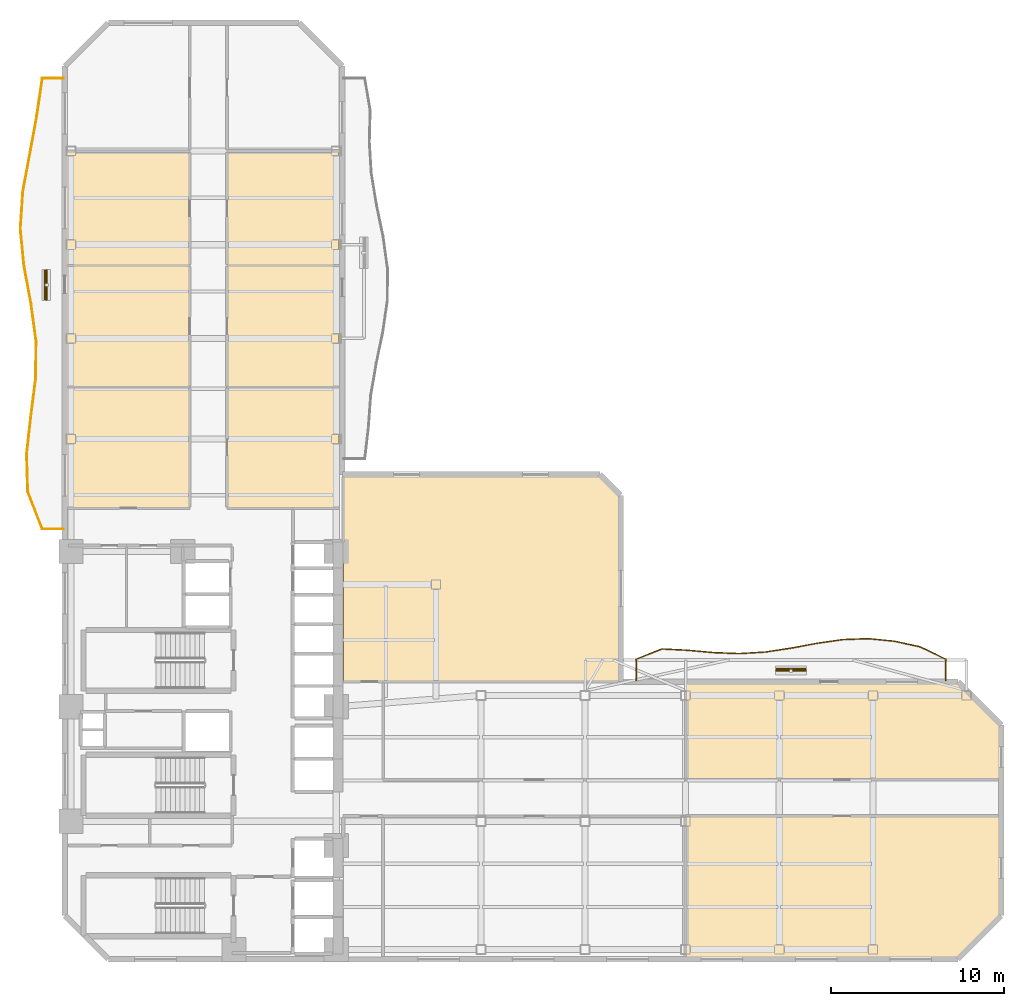
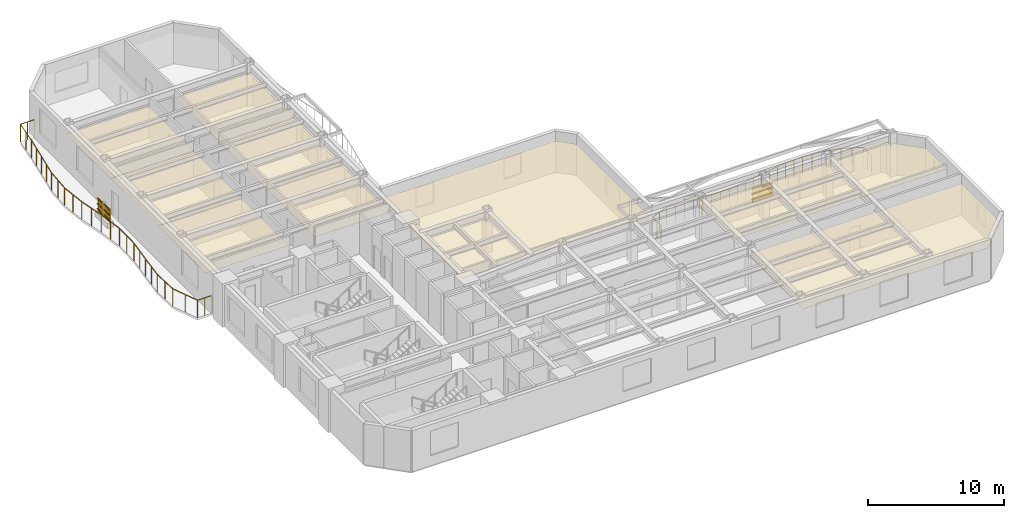
# One storey, part 9 of 10: 9 coverings, 8 shading devices, 2 railings.
"""IFC4 building model written with IfcOpenShell, lengths in metres."""

from ifc_helpers import new_model, si_unit, direction, frame, origin, origin_2d, place, context, subcontext, project, spatial, polyline, rectangle, outline, extrude, material, layer, layer_set, material_profile, profile_set, type_object, element, save


model = new_model("IFC4")

# Units and contexts
model_context = context("Model", 3, precision=1e-05, world=origin(), true_north=direction((0.0, 1.0)))
body_context = subcontext(model_context, "Body", "Model", "MODEL_VIEW")
ifc_project = project(units=[si_unit("LENGTHUNIT", "METRE"), si_unit("AREAUNIT", "SQUARE_METRE"), si_unit("VOLUMEUNIT", "CUBIC_METRE"), si_unit("PLANEANGLEUNIT", "RADIAN"), si_unit("MASSUNIT", "GRAM", prefix="KILO")], contexts=[model_context])

# Site, building, storey
site_placement = place(None, origin())
site = spatial("IfcSite", under=ifc_project, at=site_placement, CompositionType="ELEMENT")
building_placement = place(site_placement, origin())
building = spatial("IfcBuilding", under=site, at=building_placement, Name="Mawjaban Terraces University", CompositionType="ELEMENT")
storey_placement = place(building_placement, frame((0.0, 0.0, 46.60009765625)))
storey = spatial("IfcBuildingStorey", under=building, at=storey_placement, Name="L10", CompositionType="ELEMENT", Elevation=46.60009765625)

# Coverings
ifc_material_1 = material(Name="Acoustic mineral fibre ceiling tile", Category="masonry")
ifc_layer_1 = layer(ifc_material_1, 0.02001953125)
ifc_layer_set_1 = layer_set([ifc_layer_1], Name="Acoustic mineral fibre ceiling tile")
covering_type = type_object("IfcCoveringType", Name="AcousticMineralCeiling_20", PredefinedType="CEILING", material=ifc_layer_set_1)
covering_1_placement = place(storey_placement, frame((0.0, 0.0, 2.75)))
element("IfcCovering", 1, at=covering_1_placement, inside=storey, type_object=covering_type, Name="L10 Design Studio 4 Acoustic Ceiling", PredefinedType="CEILING", context=body_context, shape_type="SweptSolid", body=[
    extrude(outline(polyline([(57.830078125, 0.114990234375), (73.452880859375, 0.114990234375), (75.885009765625, 2.547119140625), (75.885009765625, 8.219970703125), (57.830078125, 8.219970703125), (57.830078125, 0.114990234375)])), origin(), (0.0, 0.0, 1.0), 0.02001953125),
])
covering_2_placement = place(storey_placement, frame((0.0, 0.0, 2.75)))
element("IfcCovering", 2, at=covering_2_placement, inside=storey, type_object=covering_type, Name="L10 Faculty Office 5 Acoustic Ceiling", PredefinedType="CEILING", context=body_context, shape_type="SweptSolid", body=[
    extrude(outline(polyline([(75.885009765625, 10.3798828125), (75.885009765625, 13.452880859375), (73.452880859375, 15.885009765625), (57.830078125, 15.885009765625), (57.830078125, 10.3798828125), (75.885009765625, 10.3798828125)])), origin(), (0.0, 0.0, 1.0), 0.02001953125),
])
covering_3_placement = place(storey_placement, frame((0.0, 0.0, 2.75)))
element("IfcCovering", 3, at=covering_3_placement, inside=storey, type_object=covering_type, Name="L10 Departmental Office 6 Acoustic Ceiling", PredefinedType="CEILING", context=body_context, shape_type="SweptSolid", body=[
    extrude(outline(polyline([(22.114990234375, 32.969970703125), (22.114990234375, 26.030029296875), (29.169921875, 26.030029296875), (29.169921875, 32.969970703125), (22.114990234375, 32.969970703125)])), origin(), (0.0, 0.0, 1.0), 0.02001953125),
])
covering_4_placement = place(storey_placement, frame((0.0, 0.0, 2.75)))
element("IfcCovering", 4, at=covering_4_placement, inside=storey, type_object=covering_type, Name="L10 Academic Workspace 7 Acoustic Ceiling", PredefinedType="CEILING", context=body_context, shape_type="SweptSolid", body=[
    extrude(outline(polyline([(37.820068359375, 26.030029296875), (37.820068359375, 32.969970703125), (31.3798828125, 32.969970703125), (31.3798828125, 26.030029296875), (37.820068359375, 26.030029296875)])), origin(), (0.0, 0.0, 1.0), 0.02001953125),
])
covering_5_placement = place(storey_placement, frame((0.0, 0.0, 2.75)))
element("IfcCovering", 5, at=covering_5_placement, inside=storey, type_object=covering_type, Name="L10 Faculty Office 8 Acoustic Ceiling", PredefinedType="CEILING", context=body_context, shape_type="SweptSolid", body=[
    extrude(outline(polyline([(22.114990234375, 39.969970703125), (22.114990234375, 33.030029296875), (29.169921875, 33.030029296875), (29.169921875, 39.969970703125), (22.114990234375, 39.969970703125)])), origin(), (0.0, 0.0, 1.0), 0.02001953125),
])
covering_6_placement = place(storey_placement, frame((0.0, 0.0, 2.75)))
element("IfcCovering", 6, at=covering_6_placement, inside=storey, type_object=covering_type, Name="L10 Departmental Office 9 Acoustic Ceiling", PredefinedType="CEILING", context=body_context, shape_type="SweptSolid", body=[
    extrude(outline(polyline([(37.820068359375, 33.030029296875), (37.820068359375, 39.969970703125), (31.3798828125, 39.969970703125), (31.3798828125, 33.030029296875), (37.820068359375, 33.030029296875)])), origin(), (0.0, 0.0, 1.0), 0.02001953125),
])
covering_7_placement = place(storey_placement, frame((0.0, 0.0, 2.75)))
element("IfcCovering", 7, at=covering_7_placement, inside=storey, type_object=covering_type, Name="L10 Faculty Office 10 Acoustic Ceiling", PredefinedType="CEILING", context=body_context, shape_type="SweptSolid", body=[
    extrude(outline(polyline([(22.114990234375, 46.570068359375), (22.114990234375, 40.030029296875), (29.169921875, 40.030029296875), (29.169921875, 46.570068359375), (22.114990234375, 46.570068359375)])), origin(), (0.0, 0.0, 1.0), 0.02001953125),
])
covering_8_placement = place(storey_placement, frame((0.0, 0.0, 2.75)))
element("IfcCovering", 8, at=covering_8_placement, inside=storey, type_object=covering_type, Name="L10 Student Tea Pantry 11 Acoustic Ceiling", PredefinedType="CEILING", context=body_context, shape_type="SweptSolid", body=[
    extrude(outline(polyline([(37.820068359375, 40.030029296875), (37.820068359375, 46.570068359375), (31.3798828125, 46.570068359375), (31.3798828125, 40.030029296875), (37.820068359375, 40.030029296875)])), origin(), (0.0, 0.0, 1.0), 0.02001953125),
])
covering_9_placement = place(storey_placement, frame((0.0, 0.0, 2.75)))
element("IfcCovering", 9, at=covering_9_placement, inside=storey, type_object=covering_type, Name="L10 Terrace Collaborative Study Room Acoustic Ceiling", PredefinedType="CEILING", context=body_context, shape_type="SweptSolid", body=[
    extrude(outline(polyline([(53.93505859375, 16.030029296875), (53.93505859375, 26.699951171875), (52.802978515625, 27.83203125), (38.080078125, 27.83203125), (38.080078125, 16.030029296875), (53.93505859375, 16.030029296875)])), origin(), (0.0, 0.0, 1.0), 0.02001953125),
])

# Railings
ifc_material_2 = material(Name="Galvanised powder-coated steel S355", Category="steel")
railing_type = type_object("IfcRailingType", Name="BalconyBalustrade_1600", PredefinedType="BALUSTRADE", material=ifc_material_2)
railing_1_placement = place(storey_placement, frame((21.919921875, 24.800048828125, 0.0)))
element("IfcRailing", 10, at=railing_1_placement, inside=storey, type_object=railing_type, Name="L10 Balcony Guardrail west", PredefinedType="BALUSTRADE", context=body_context, shape_type="SweptSolid", body=[
    extrude(rectangle(XDim=0.048095703125, YDim=0.048095703125, at=origin_2d()), frame((0.0, 0.0, 1.576171875), z_axis=(-1.0, 0.0, 0.0), x_axis=(0.0, -1.0, 0.0)), (0.0, 0.0, 1.0), 1.219970703125),
    extrude(rectangle(XDim=0.048095703125, YDim=0.048095703125, at=origin_2d()), frame((-1.219970703125, 0.0, 1.576171875), z_axis=(-0.361371301616, 0.932421998007, 0.0), x_axis=(-0.932421998007, -0.361371301616, 0.0)), (0.0, 0.0, 1.0), 2.323974609375),
    extrude(rectangle(XDim=0.048095703125, YDim=0.048095703125, at=origin_2d()), frame((-2.059814453125, 2.1669921875, 1.576171875), z_axis=(-0.029630806995, 0.999560911239, 0.0), x_axis=(-0.999560911239, -0.029630806995, 0.0)), (0.0, 0.0, 1.0), 2.1669921875),
    extrude(rectangle(XDim=0.048095703125, YDim=0.048095703125, at=origin_2d()), frame((-2.1240234375, 4.3330078125, 1.576171875), z_axis=(0.111955077603, 0.993713268805, 0.0), x_axis=(-0.993713268805, 0.111955077603, 0.0)), (0.0, 0.0, 1.0), 2.1806640625),
    extrude(rectangle(XDim=0.048095703125, YDim=0.048095703125, at=origin_2d()), frame((-1.8798828125, 6.5, 1.576171875), z_axis=(0.125850320584, 0.992049241121, 0.0), x_axis=(-0.992049241121, 0.125850320584, 0.0)), (0.0, 0.0, 1.0), 2.184326171875),
    extrude(rectangle(XDim=0.048095703125, YDim=0.048095703125, at=origin_2d()), frame((-1.60498046875, 8.6669921875, 1.576171875), z_axis=(0.011608775861, 0.999932615891, 0.0), x_axis=(-0.999932615891, 0.011608775861, 0.0)), (0.0, 0.0, 1.0), 2.166259765625),
    extrude(rectangle(XDim=0.048095703125, YDim=0.048095703125, at=origin_2d()), frame((-1.579833984375, 10.8330078125, 1.576171875), z_axis=(-0.132661087442, 0.991161458027, 0.0), x_axis=(-0.991161458027, -0.132661087442, 0.0)), (0.0, 0.0, 1.0), 2.186279296875),
    extrude(rectangle(XDim=0.048095703125, YDim=0.048095703125, at=origin_2d()), frame((-1.869873046875, 13.0, 1.576171875), z_axis=(-0.183726837055, 0.982977339182, 0.0), x_axis=(-0.982977339182, -0.183726837055, 0.0)), (0.0, 0.0, 1.0), 2.20458984375),
    extrude(rectangle(XDim=0.048095703125, YDim=0.048095703125, at=origin_2d()), frame((-2.27490234375, 15.1669921875, 1.576171875), z_axis=(-0.097370987251, 0.995248155407, 0.0), x_axis=(-0.995248155407, -0.097370987251, 0.0)), (0.0, 0.0, 1.0), 2.17626953125),
    extrude(rectangle(XDim=0.048095703125, YDim=0.048095703125, at=origin_2d()), frame((-2.48681640625, 17.3330078125, 1.576171875), z_axis=(0.06766788608, 0.99770790174, 0.0), x_axis=(-0.99770790174, 0.06766788608, 0.0)), (0.0, 0.0, 1.0), 2.171875),
    extrude(rectangle(XDim=0.048095703125, YDim=0.048095703125, at=origin_2d()), frame((-2.33984375, 19.5, 1.576171875), z_axis=(0.184154813787, 0.982897250255, 0.0), x_axis=(-0.982897250255, 0.184154813787, 0.0)), (0.0, 0.0, 1.0), 2.20458984375),
    extrude(rectangle(XDim=0.048095703125, YDim=0.048095703125, at=origin_2d()), frame((-1.933837890625, 21.6669921875, 1.576171875), z_axis=(0.179841551957, 0.983695591222, 0.0), x_axis=(-0.983695591222, 0.179841551957, 0.0)), (0.0, 0.0, 1.0), 2.201904296875),
    extrude(rectangle(XDim=0.048095703125, YDim=0.048095703125, at=origin_2d()), frame((-1.537841796875, 23.8330078125, 1.576171875), z_axis=(0.145134557046, 0.989411926526, 0.0), x_axis=(-0.989411926526, 0.145134557046, 0.0)), (0.0, 0.0, 1.0), 2.190185546875),
    extrude(rectangle(XDim=0.048095703125, YDim=0.048095703125, at=origin_2d()), frame((-1.219970703125, 26.0, 1.576171875), z_axis=(1.0, 0.0, 0.0), x_axis=(0.0, 1.0, 0.0)), (0.0, 0.0, 1.0), 1.219970703125),
    extrude(rectangle(XDim=0.0419921875, YDim=0.0419921875, at=origin_2d()), origin(), (0.0, 0.0, 1.0), 1.552001953125),
    extrude(rectangle(XDim=0.0419921875, YDim=0.0419921875, at=origin_2d()), frame((-0.60986328125, 0.0, 0.0)), (0.0, 0.0, 1.0), 1.552001953125),
    extrude(rectangle(XDim=0.0419921875, YDim=0.0419921875, at=origin_2d()), frame((-1.219970703125, 0.0, 0.0)), (0.0, 0.0, 1.0), 1.552001953125),
    extrude(rectangle(XDim=0.0419921875, YDim=0.0419921875, at=origin_2d()), frame((-1.639892578125, 1.08349609375, 0.0)), (0.0, 0.0, 1.0), 1.552001953125),
    extrude(rectangle(XDim=0.0419921875, YDim=0.0419921875, at=origin_2d()), frame((-2.059814453125, 2.1669921875, 0.0)), (0.0, 0.0, 1.0), 1.552001953125),
    extrude(rectangle(XDim=0.0419921875, YDim=0.0419921875, at=origin_2d()), frame((-2.091796875, 3.25, 0.0)), (0.0, 0.0, 1.0), 1.552001953125),
    extrude(rectangle(XDim=0.0419921875, YDim=0.0419921875, at=origin_2d()), frame((-2.1240234375, 4.3330078125, 0.0)), (0.0, 0.0, 1.0), 1.552001953125),
    extrude(rectangle(XDim=0.0419921875, YDim=0.0419921875, at=origin_2d()), frame((-2.001953125, 5.41650390625, 0.0)), (0.0, 0.0, 1.0), 1.552001953125),
    extrude(rectangle(XDim=0.0419921875, YDim=0.0419921875, at=origin_2d()), frame((-1.8798828125, 6.5, 0.0)), (0.0, 0.0, 1.0), 1.552001953125),
    extrude(rectangle(XDim=0.0419921875, YDim=0.0419921875, at=origin_2d()), frame((-1.742431640625, 7.58349609375, 0.0)), (0.0, 0.0, 1.0), 1.552001953125),
    extrude(rectangle(XDim=0.0419921875, YDim=0.0419921875, at=origin_2d()), frame((-1.60498046875, 8.6669921875, 0.0)), (0.0, 0.0, 1.0), 1.552001953125),
    extrude(rectangle(XDim=0.0419921875, YDim=0.0419921875, at=origin_2d()), frame((-1.59228515625, 9.75, 0.0)), (0.0, 0.0, 1.0), 1.552001953125),
    extrude(rectangle(XDim=0.0419921875, YDim=0.0419921875, at=origin_2d()), frame((-1.579833984375, 10.8330078125, 0.0)), (0.0, 0.0, 1.0), 1.552001953125),
    extrude(rectangle(XDim=0.0419921875, YDim=0.0419921875, at=origin_2d()), frame((-1.724853515625, 11.91650390625, 0.0)), (0.0, 0.0, 1.0), 1.552001953125),
    extrude(rectangle(XDim=0.0419921875, YDim=0.0419921875, at=origin_2d()), frame((-1.869873046875, 13.0, 0.0)), (0.0, 0.0, 1.0), 1.552001953125),
    extrude(rectangle(XDim=0.0419921875, YDim=0.0419921875, at=origin_2d()), frame((-2.072265625, 14.08349609375, 0.0)), (0.0, 0.0, 1.0), 1.552001953125),
    extrude(rectangle(XDim=0.0419921875, YDim=0.0419921875, at=origin_2d()), frame((-2.27490234375, 15.1669921875, 0.0)), (0.0, 0.0, 1.0), 1.552001953125),
    extrude(rectangle(XDim=0.0419921875, YDim=0.0419921875, at=origin_2d()), frame((-2.380859375, 16.25, 0.0)), (0.0, 0.0, 1.0), 1.552001953125),
    extrude(rectangle(XDim=0.0419921875, YDim=0.0419921875, at=origin_2d()), frame((-2.48681640625, 17.3330078125, 0.0)), (0.0, 0.0, 1.0), 1.552001953125),
    extrude(rectangle(XDim=0.0419921875, YDim=0.0419921875, at=origin_2d()), frame((-2.413330078125, 18.41650390625, 0.0)), (0.0, 0.0, 1.0), 1.552001953125),
    extrude(rectangle(XDim=0.0419921875, YDim=0.0419921875, at=origin_2d()), frame((-2.33984375, 19.5, 0.0)), (0.0, 0.0, 1.0), 1.552001953125),
    extrude(rectangle(XDim=0.0419921875, YDim=0.0419921875, at=origin_2d()), frame((-2.13671875, 20.58349609375, 0.0)), (0.0, 0.0, 1.0), 1.552001953125),
    extrude(rectangle(XDim=0.0419921875, YDim=0.0419921875, at=origin_2d()), frame((-1.933837890625, 21.6669921875, 0.0)), (0.0, 0.0, 1.0), 1.552001953125),
    extrude(rectangle(XDim=0.0419921875, YDim=0.0419921875, at=origin_2d()), frame((-1.73583984375, 22.75, 0.0)), (0.0, 0.0, 1.0), 1.552001953125),
    extrude(rectangle(XDim=0.0419921875, YDim=0.0419921875, at=origin_2d()), frame((-1.537841796875, 23.8330078125, 0.0)), (0.0, 0.0, 1.0), 1.552001953125),
    extrude(rectangle(XDim=0.0419921875, YDim=0.0419921875, at=origin_2d()), frame((-1.37890625, 24.91650390625, 0.0)), (0.0, 0.0, 1.0), 1.552001953125),
    extrude(rectangle(XDim=0.0419921875, YDim=0.0419921875, at=origin_2d()), frame((-1.219970703125, 26.0, 0.0)), (0.0, 0.0, 1.0), 1.552001953125),
    extrude(rectangle(XDim=0.0419921875, YDim=0.0419921875, at=origin_2d()), frame((-0.60986328125, 26.0, 0.0)), (0.0, 0.0, 1.0), 1.552001953125),
    extrude(rectangle(XDim=0.0419921875, YDim=0.0419921875, at=origin_2d()), frame((0.0, 26.0, 0.0)), (0.0, 0.0, 1.0), 1.552001953125),
])
railing_2_placement = place(storey_placement, frame((54.949951171875, 16.080078125, 0.0)))
element("IfcRailing", 11, at=railing_2_placement, inside=storey, type_object=railing_type, Name="L10 Balcony Guardrail inner_north", PredefinedType="BALUSTRADE", context=body_context, shape_type="SweptSolid", body=[
    extrude(rectangle(XDim=0.048095703125, YDim=0.048095703125, at=origin_2d()), frame((0.0, 0.0, 1.576171875), z_axis=(0.0, 1.0, 0.0), x_axis=(-1.0, 0.0, 0.0)), (0.0, 0.0, 1.0), 1.219970703125),
    extrude(rectangle(XDim=0.048095703125, YDim=0.048095703125, at=origin_2d()), frame((0.0, 1.219970703125, 1.576171875), z_axis=(0.92983815157, 0.367968764822, 0.0), x_axis=(-0.367968764822, 0.92983815157, 0.0)), (0.0, 0.0, 1.0), 1.600341796875),
    extrude(rectangle(XDim=0.048095703125, YDim=0.048095703125, at=origin_2d()), frame((1.488037109375, 1.808837890625, 1.576171875), z_axis=(0.998732222436, -0.050338333983, 0.0), x_axis=(0.050338333983, 0.998732222436, 0.0)), (0.0, 0.0, 1.0), 1.489013671875),
    extrude(rectangle(XDim=0.048095703125, YDim=0.048095703125, at=origin_2d()), frame((2.97509765625, 1.73388671875, 1.576171875), z_axis=(0.995850239008, -0.091007150636, 0.0), x_axis=(0.091007150636, 0.995850239008, 0.0)), (0.0, 0.0, 1.0), 1.494140625),
    extrude(rectangle(XDim=0.048095703125, YDim=0.048095703125, at=origin_2d()), frame((4.463134765625, 1.597900390625, 1.576171875), z_axis=(0.999268910081, -0.038231470616, 0.0), x_axis=(0.038231470616, 0.999268910081, 0.0)), (0.0, 0.0, 1.0), 1.48779296875),
    extrude(rectangle(XDim=0.048095703125, YDim=0.048095703125, at=origin_2d()), frame((5.949951171875, 1.541015625, 1.576171875), z_axis=(0.998182255623, 0.060267607887, 0.0), x_axis=(-0.060267607887, 0.998182255623, 0.0)), (0.0, 0.0, 1.0), 1.49072265625),
    extrude(rectangle(XDim=0.048095703125, YDim=0.048095703125, at=origin_2d()), frame((7.43798828125, 1.630859375, 1.576171875), z_axis=(0.988736623191, 0.149665927858, 0.0), x_axis=(-0.149665927858, 0.988736623191, 0.0)), (0.0, 0.0, 1.0), 1.50390625),
    extrude(rectangle(XDim=0.048095703125, YDim=0.048095703125, at=origin_2d()), frame((8.925048828125, 1.85595703125, 1.576171875), z_axis=(0.982961590837, 0.183811074038, 0.0), x_axis=(-0.183811074038, 0.982961590837, 0.0)), (0.0, 0.0, 1.0), 1.512939453125),
    extrude(rectangle(XDim=0.048095703125, YDim=0.048095703125, at=origin_2d()), frame((10.412109375, 2.134033203125, 1.576171875), z_axis=(0.989737290118, 0.142898903249, 0.0), x_axis=(-0.142898903249, 0.989737290118, 0.0)), (0.0, 0.0, 1.0), 1.50341796875),
    extrude(rectangle(XDim=0.048095703125, YDim=0.048095703125, at=origin_2d()), frame((11.900146484375, 2.348876953125, 1.576171875), z_axis=(0.999343066311, 0.036241355047, 0.0), x_axis=(-0.036241355047, 0.999343066311, 0.0)), (0.0, 0.0, 1.0), 1.48876953125),
    extrude(rectangle(XDim=0.048095703125, YDim=0.048095703125, at=origin_2d()), frame((13.387939453125, 2.40283203125, 1.576171875), z_axis=(0.9951513791, -0.098355135482, 0.0), x_axis=(0.098355135482, 0.9951513791, 0.0)), (0.0, 0.0, 1.0), 1.494384765625),
    extrude(rectangle(XDim=0.048095703125, YDim=0.048095703125, at=origin_2d()), frame((14.875, 2.255859375, 1.576171875), z_axis=(0.977479519837, -0.211030301853, 0.0), x_axis=(0.211030301853, 0.977479519837, 0.0)), (0.0, 0.0, 1.0), 1.521240234375),
    extrude(rectangle(XDim=0.048095703125, YDim=0.048095703125, at=origin_2d()), frame((16.362060546875, 1.934814453125, 1.576171875), z_axis=(0.901384545505, -0.433019515872, 0.0), x_axis=(0.433019515872, 0.901384545505, 0.0)), (0.0, 0.0, 1.0), 1.65087890625),
    extrude(rectangle(XDim=0.048095703125, YDim=0.048095703125, at=origin_2d()), frame((17.85009765625, 1.219970703125, 1.576171875), z_axis=(0.0, -1.0, 0.0), x_axis=(1.0, 0.0, 0.0)), (0.0, 0.0, 1.0), 1.219970703125),
    extrude(rectangle(XDim=0.0419921875, YDim=0.0419921875, at=origin_2d()), origin(), (0.0, 0.0, 1.0), 1.552001953125),
    extrude(rectangle(XDim=0.0419921875, YDim=0.0419921875, at=origin_2d()), frame((0.0, 0.60986328125, 0.0)), (0.0, 0.0, 1.0), 1.552001953125),
    extrude(rectangle(XDim=0.0419921875, YDim=0.0419921875, at=origin_2d()), frame((0.0, 1.219970703125, 0.0)), (0.0, 0.0, 1.0), 1.552001953125),
    extrude(rectangle(XDim=0.0419921875, YDim=0.0419921875, at=origin_2d()), frame((0.744140625, 1.514404296875, 0.0)), (0.0, 0.0, 1.0), 1.552001953125),
    extrude(rectangle(XDim=0.0419921875, YDim=0.0419921875, at=origin_2d()), frame((1.488037109375, 1.808837890625, 0.0)), (0.0, 0.0, 1.0), 1.552001953125),
    extrude(rectangle(XDim=0.0419921875, YDim=0.0419921875, at=origin_2d()), frame((2.2314453125, 1.771484375, 0.0)), (0.0, 0.0, 1.0), 1.552001953125),
    extrude(rectangle(XDim=0.0419921875, YDim=0.0419921875, at=origin_2d()), frame((2.97509765625, 1.73388671875, 0.0)), (0.0, 0.0, 1.0), 1.552001953125),
    extrude(rectangle(XDim=0.0419921875, YDim=0.0419921875, at=origin_2d()), frame((3.71923828125, 1.666015625, 0.0)), (0.0, 0.0, 1.0), 1.552001953125),
    extrude(rectangle(XDim=0.0419921875, YDim=0.0419921875, at=origin_2d()), frame((4.463134765625, 1.597900390625, 0.0)), (0.0, 0.0, 1.0), 1.552001953125),
    extrude(rectangle(XDim=0.0419921875, YDim=0.0419921875, at=origin_2d()), frame((5.20654296875, 1.5693359375, 0.0)), (0.0, 0.0, 1.0), 1.552001953125),
    extrude(rectangle(XDim=0.0419921875, YDim=0.0419921875, at=origin_2d()), frame((5.949951171875, 1.541015625, 0.0)), (0.0, 0.0, 1.0), 1.552001953125),
    extrude(rectangle(XDim=0.0419921875, YDim=0.0419921875, at=origin_2d()), frame((6.69384765625, 1.5859375, 0.0)), (0.0, 0.0, 1.0), 1.552001953125),
    extrude(rectangle(XDim=0.0419921875, YDim=0.0419921875, at=origin_2d()), frame((7.43798828125, 1.630859375, 0.0)), (0.0, 0.0, 1.0), 1.552001953125),
    extrude(rectangle(XDim=0.0419921875, YDim=0.0419921875, at=origin_2d()), frame((8.181640625, 1.743408203125, 0.0)), (0.0, 0.0, 1.0), 1.552001953125),
    extrude(rectangle(XDim=0.0419921875, YDim=0.0419921875, at=origin_2d()), frame((8.925048828125, 1.85595703125, 0.0)), (0.0, 0.0, 1.0), 1.552001953125),
    extrude(rectangle(XDim=0.0419921875, YDim=0.0419921875, at=origin_2d()), frame((9.66845703125, 1.9951171875, 0.0)), (0.0, 0.0, 1.0), 1.552001953125),
    extrude(rectangle(XDim=0.0419921875, YDim=0.0419921875, at=origin_2d()), frame((10.412109375, 2.134033203125, 0.0)), (0.0, 0.0, 1.0), 1.552001953125),
    extrude(rectangle(XDim=0.0419921875, YDim=0.0419921875, at=origin_2d()), frame((11.15625, 2.241455078125, 0.0)), (0.0, 0.0, 1.0), 1.552001953125),
    extrude(rectangle(XDim=0.0419921875, YDim=0.0419921875, at=origin_2d()), frame((11.900146484375, 2.348876953125, 0.0)), (0.0, 0.0, 1.0), 1.552001953125),
    extrude(rectangle(XDim=0.0419921875, YDim=0.0419921875, at=origin_2d()), frame((12.64404296875, 2.3759765625, 0.0)), (0.0, 0.0, 1.0), 1.552001953125),
    extrude(rectangle(XDim=0.0419921875, YDim=0.0419921875, at=origin_2d()), frame((13.387939453125, 2.40283203125, 0.0)), (0.0, 0.0, 1.0), 1.552001953125),
    extrude(rectangle(XDim=0.0419921875, YDim=0.0419921875, at=origin_2d()), frame((14.13134765625, 2.329345703125, 0.0)), (0.0, 0.0, 1.0), 1.552001953125),
    extrude(rectangle(XDim=0.0419921875, YDim=0.0419921875, at=origin_2d()), frame((14.875, 2.255859375, 0.0)), (0.0, 0.0, 1.0), 1.552001953125),
    extrude(rectangle(XDim=0.0419921875, YDim=0.0419921875, at=origin_2d()), frame((15.61865234375, 2.09521484375, 0.0)), (0.0, 0.0, 1.0), 1.552001953125),
    extrude(rectangle(XDim=0.0419921875, YDim=0.0419921875, at=origin_2d()), frame((16.362060546875, 1.934814453125, 0.0)), (0.0, 0.0, 1.0), 1.552001953125),
    extrude(rectangle(XDim=0.0419921875, YDim=0.0419921875, at=origin_2d()), frame((17.10595703125, 1.577392578125, 0.0)), (0.0, 0.0, 1.0), 1.552001953125),
    extrude(rectangle(XDim=0.0419921875, YDim=0.0419921875, at=origin_2d()), frame((17.85009765625, 1.219970703125, 0.0)), (0.0, 0.0, 1.0), 1.552001953125),
    extrude(rectangle(XDim=0.0419921875, YDim=0.0419921875, at=origin_2d()), frame((17.85009765625, 0.60986328125, 0.0)), (0.0, 0.0, 1.0), 1.552001953125),
    extrude(rectangle(XDim=0.0419921875, YDim=0.0419921875, at=origin_2d()), frame((17.85009765625, 0.0, 0.0)), (0.0, 0.0, 1.0), 1.552001953125),
])

# Shading devices
ifc_material_3 = material(Name="Glazed architectural terracotta ceramic", Category="masonry")
ifc_material_profile = material_profile(ifc_material_3, rectangle(XDim=0.06494140625, YDim=0.110107421875, at=origin_2d()), Name="TBAG110X65")
ifc_profile_set = profile_set([ifc_material_profile], Name="Glazed architectural terracotta ceramic")
shading_device_type_1 = type_object("IfcShadingDeviceType", Name="TerracottaBaguette_110x65", PredefinedType="USERDEFINED", material=ifc_profile_set)
for number, where, z_axis, x_axis, name in (
    (12, (20.843994140625, 38.032958984375, 0.679931640625), (0.0, 1.0, 0.0), (-1.0, 0.0, 0.0), "L10 Horizontal Terracotta Baguette west.1"),
    (13, (20.843994140625, 38.032958984375, 1.14990234375), (0.0, 1.0, 0.0), (-1.0, 0.0, 0.0), "L10 Horizontal Terracotta Baguette west.2"),
    (14, (20.843994140625, 38.032958984375, 1.619873046875), (0.0, 1.0, 0.0), (-1.0, 0.0, 0.0), "L10 Horizontal Terracotta Baguette west.3"),
):
    element("IfcShadingDevice", number, at=place(storey_placement, frame(where, z_axis=z_axis, x_axis=x_axis)), inside=storey, type_object=shading_device_type_1, Name=name, ObjectType="BAGUETTE", PredefinedType="USERDEFINED", context=body_context, shape_type="SweptSolid", body=[
        extrude(rectangle(XDim=0.06494140625, YDim=0.110107421875, at=origin_2d()), origin(), (0.0, 0.0, 1.0), 1.699951171875),
    ])
for number, where, z_axis, x_axis, name in (
    (15, (63.02490234375, 16.72998046875, 0.679931640625), (1.0, 0.0, 0.0), (0.0, 1.0, 0.0), "L10 Horizontal Terracotta Baguette inner_north.1"),
    (16, (63.02490234375, 16.72998046875, 1.14990234375), (1.0, 0.0, 0.0), (0.0, 1.0, 0.0), "L10 Horizontal Terracotta Baguette inner_north.2"),
    (17, (63.02490234375, 16.72998046875, 1.619873046875), (1.0, 0.0, 0.0), (0.0, 1.0, 0.0), "L10 Horizontal Terracotta Baguette inner_north.3"),
):
    element("IfcShadingDevice", number, at=place(storey_placement, frame(where, z_axis=z_axis, x_axis=x_axis)), inside=storey, type_object=shading_device_type_1, Name=name, ObjectType="BAGUETTE", PredefinedType="USERDEFINED", context=body_context, shape_type="SweptSolid", body=[
        extrude(rectangle(XDim=0.06494140625, YDim=0.110107421875, at=origin_2d()), origin(), (0.0, 0.0, 1.0), 1.7001953125),
    ])
ifc_layer_2 = layer(ifc_material_3, 0.080078125)
ifc_layer_set_2 = layer_set([ifc_layer_2], Name="Glazed architectural terracotta ceramic")
shading_device_type_2 = type_object("IfcShadingDeviceType", Name="TerracottaScreen_Perforated", PredefinedType="USERDEFINED", material=ifc_layer_set_2)
for number, where, z_axis, x_axis, name in (
    (18, (20.928955078125, 38.883056640625, 0.43994140625), (0.0, 0.0, 1.0), (0.0, 1.0, 0.0), "L10 Balcony Perforated Terracotta Screen west"),
    (19, (63.875, 16.64501953125, 0.43994140625), (0.0, 0.0, 1.0), (1.0, 0.0, 0.0), "L10 Balcony Perforated Terracotta Screen inner_north"),
):
    element("IfcShadingDevice", number, at=place(storey_placement, frame(where, z_axis=z_axis, x_axis=x_axis)), inside=storey, type_object=shading_device_type_2, Name=name, ObjectType="SCREEN", PredefinedType="USERDEFINED", context=body_context, shape_type="SweptSolid", body=[
        extrude(rectangle(XDim=1.75, YDim=0.080078125, at=origin_2d()), origin(), (0.0, 0.0, 1.0), 1.14990234375),
    ])

save(model, "model.ifc")
